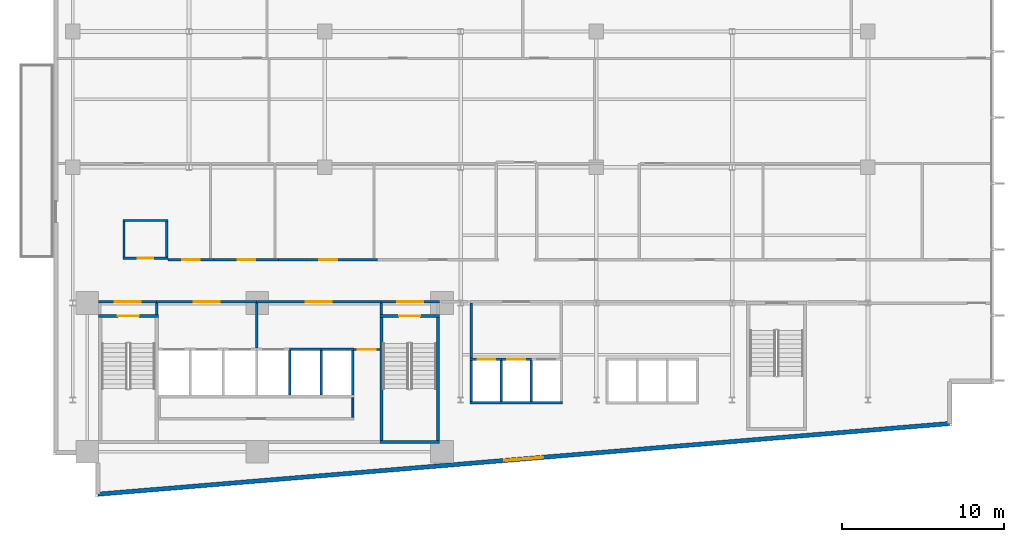
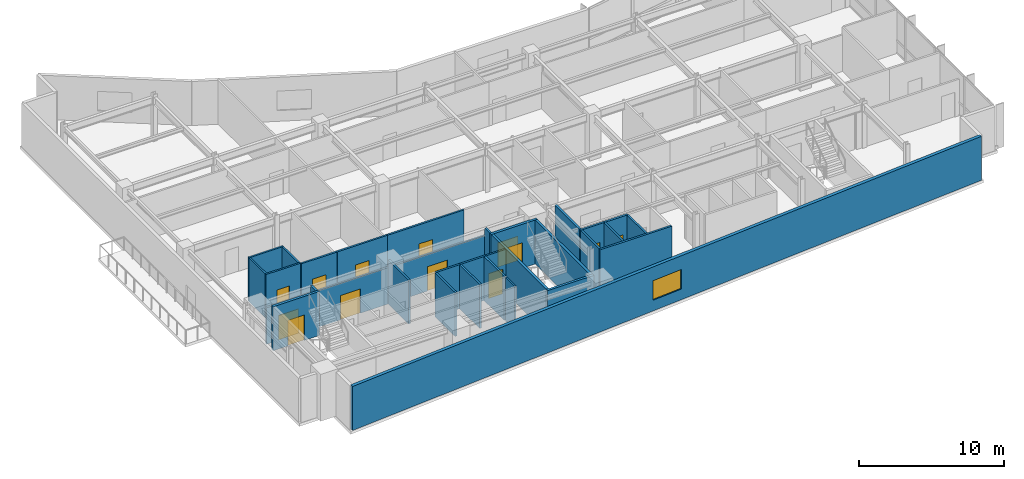
# One storey, part 13 of 20: 34 walls, 13 doors, 1 window, 14 openings.
"""IFC4 building model written with IfcOpenShell, lengths in metres."""

import ifcopenshell
import ifcopenshell.guid

model = None  # the IFC model being written
_history = None  # IfcOwnerHistory: only IFC2X3 demands one
_inside = {}  # id of a spatial element -> (the spatial element, [elements in it])
_under = {}  # id of a project, library or spatial element -> (it, [spatial elements below it])
_declared = {}  # id of a project -> (the project, [libraries it declares])
_typed = {}  # id of a type object -> (the type object, [elements of that type])
_made_of = {}  # id of a material, layer set ... -> (it, [elements and type objects made of it])


def new_model(schema):
    """Start an empty IFC model of exactly this schema.

    Asked for "IFC4X3", IfcOpenShell would pick the latest addendum, in which some entities
    have other attributes; the version numbers below select the first issue.
    IFC2X3 requires an IfcOwnerHistory on every rooted entity: one is made here for all.
    """
    global model, _history
    if schema == "IFC4X3":
        model = ifcopenshell.file(schema_version=(4, 3, 0, 0))
    else:
        model = ifcopenshell.file(schema=schema)
    _inside.clear()
    _under.clear()
    _declared.clear()
    _typed.clear()
    _made_of.clear()
    _history = None
    if model.schema == "IFC2X3":
        org = make("IfcOrganization", Name="unknown")
        user = make(
            "IfcPersonAndOrganization",
            ThePerson=make("IfcPerson", FamilyName="unknown"),
            TheOrganization=org,
        )
        app = make(
            "IfcApplication",
            ApplicationDeveloper=org,
            Version="unknown",
            ApplicationFullName="unknown",
            ApplicationIdentifier="unknown",
        )
        _history = make(
            "IfcOwnerHistory",
            OwningUser=user,
            OwningApplication=app,
            ChangeAction="ADDED",
            CreationDate=0,
        )
    return model


def make(cls, **values):
    """One entity of the class cls with the attributes given. An attribute that is None is left unset."""
    return model.create_entity(
        cls, **{name: value for name, value in values.items() if value is not None}
    )


def rooted(cls, **values):
    """An entity with a GlobalId (a new one), such as an element, a storey or a relation."""
    return make(cls, GlobalId=ifcopenshell.guid.new(), OwnerHistory=_history, **values)


def si_unit(unit_type, name, prefix=None):
    """IfcSIUnit, for example si_unit("LENGTHUNIT", "METRE", prefix="MILLI")."""
    return make("IfcSIUnit", UnitType=unit_type, Prefix=prefix, Name=name)


def assignment(units):
    """IfcUnitAssignment: the units of a project."""
    return None if units is None else make("IfcUnitAssignment", Units=units)


def point(xyz):
    """IfcCartesianPoint."""
    return None if xyz is None else make("IfcCartesianPoint", Coordinates=xyz)


def direction(xyz):
    """IfcDirection."""
    return None if xyz is None else make("IfcDirection", DirectionRatios=xyz)


def frame(location, z_axis=None, x_axis=None):
    """IfcAxis2Placement3D, a coordinate frame: its origin and axes. An axis left out is left unset."""
    return make(
        "IfcAxis2Placement3D",
        Location=point(location),
        Axis=direction(z_axis),
        RefDirection=direction(x_axis),
    )


def frame_2d(location, x_axis=None):
    """IfcAxis2Placement2D, a coordinate frame in the plane: its origin and x axis."""
    return make(
        "IfcAxis2Placement2D", Location=point(location), RefDirection=direction(x_axis)
    )


def origin():
    """The frame at (0, 0, 0) with its axes left unset."""
    return frame((0.0, 0.0, 0.0))


def place(relative_to, where):
    """IfcLocalPlacement: puts the frame where relative to a parent placement (None: the world)."""
    return make(
        "IfcLocalPlacement", PlacementRelTo=relative_to, RelativePlacement=where
    )


def context(
    kind, dimensions, precision=None, world=None, true_north=None, identifier=None
):
    """IfcGeometricRepresentationContext, for example the 3D "Model" context."""
    return make(
        "IfcGeometricRepresentationContext",
        ContextIdentifier=identifier,
        ContextType=kind,
        CoordinateSpaceDimension=dimensions,
        Precision=precision,
        WorldCoordinateSystem=world,
        TrueNorth=true_north,
    )


def subcontext(parent, identifier, kind, view, scale=None):
    """IfcGeometricRepresentationSubContext, for example "Body" below "Model"."""
    return make(
        "IfcGeometricRepresentationSubContext",
        ContextIdentifier=identifier,
        ContextType=kind,
        ParentContext=parent,
        TargetScale=scale,
        TargetView=view,
    )


def project(units=None, contexts=None):
    """IfcProject with its units and contexts."""
    return rooted(
        "IfcProject",
        Name="project",
        RepresentationContexts=contexts,
        UnitsInContext=assignment(units),
    )


def spatial(cls, under=None, at=None, **own):
    """A site, building, storey or space (cls), placed at a placement, below another one or the project."""
    s = rooted(cls, ObjectPlacement=at, **own)
    if under is not None:
        _under.setdefault(under.id(), (under, []))[1].append(s)
    return s


def profile(cls, at=None, kind="AREA", **sizes):
    """A parametric profile (cls). Its sizes go by their IFC names, for example OverallWidth=200.0."""
    return make(cls, ProfileType=kind, Position=at, **sizes)


def rectangle(**sizes):
    """IfcRectangleProfileDef."""
    return profile("IfcRectangleProfileDef", **sizes)


def extrude(swept, where, along, depth):
    """IfcExtrudedAreaSolid: the profile swept, set in the frame where, extruded along a direction by depth."""
    return make(
        "IfcExtrudedAreaSolid",
        SweptArea=swept,
        Position=where,
        ExtrudedDirection=direction(along),
        Depth=depth,
    )


def shape(context_of_items, identifier, shape_type, items):
    """IfcShapeRepresentation: the items that make up one representation, for example the "Body"."""
    return make(
        "IfcShapeRepresentation",
        ContextOfItems=context_of_items,
        RepresentationIdentifier=identifier,
        RepresentationType=shape_type,
        Items=items,
    )


def material(Name=None, Category=None):
    """IfcMaterial."""
    return make("IfcMaterial", Name=Name, Category=Category)


def layer(
    of_material, thickness, ventilated=None, Name=None, Category=None, Priority=None
):
    """IfcMaterialLayer: one layer of a wall or slab, of a material (None: an air gap)."""
    return make(
        "IfcMaterialLayer",
        Material=of_material,
        LayerThickness=thickness,
        IsVentilated=ventilated,
        Name=Name,
        Category=Category,
        Priority=Priority,
    )


def layer_set(layers, Name=None):
    """IfcMaterialLayerSet."""
    return make("IfcMaterialLayerSet", MaterialLayers=layers, LayerSetName=Name)


def made_of(thing, what):
    """Note that an element or type object is made of a material, layer set ...; save() writes the relation."""
    if what is not None:
        _made_of.setdefault(what.id(), (what, []))[1].append(thing)
    return thing


def type_object(cls, material=None, **own):
    """A type object (cls), such as IfcWallType, which elements share."""
    return made_of(rooted(cls, **own), material)


def element(
    cls,
    number,
    at=None,
    inside=None,
    cuts=None,
    type_object=None,
    material=None,
    context=None,
    identifier="Body",
    shape_type=None,
    held_by="IfcProductDefinitionShape",
    body=None,
    shapes=None,
    **own,
):
    """One element of the class cls, such as IfcWall. Its Tag is "e" and its number.

    at: its placement. inside: the storey or other place that contains it. cuts: it is an
    opening in that element (IfcRelVoidsElement). A single representation is given by context,
    identifier, shape_type and body (its items); several are given by shapes. held_by: the class
    of the entity that holds the representations. save() writes the other relations.
    """
    e = rooted(cls, Tag="e%d" % number, ObjectPlacement=at, **own)
    if body is not None:
        shapes = [shape(context, identifier, shape_type, body)]
    if shapes is not None:
        e.Representation = make(held_by, Representations=shapes)
    if inside is not None:
        _inside.setdefault(inside.id(), (inside, []))[1].append(e)
    if cuts is not None:
        rooted(
            "IfcRelVoidsElement", RelatingBuildingElement=cuts, RelatedOpeningElement=e
        )
    if type_object is not None:
        _typed.setdefault(type_object.id(), (type_object, []))[1].append(e)
    return made_of(e, material)


def fill(opening, filler):
    """IfcRelFillsElement: the door or window that sits in an opening."""
    return rooted(
        "IfcRelFillsElement",
        RelatingOpeningElement=opening,
        RelatedBuildingElement=filler,
    )


def aggregate(whole, parts):
    """IfcRelAggregates: a whole, such as a stair, and the parts it consists of."""
    return rooted("IfcRelAggregates", RelatingObject=whole, RelatedObjects=parts)


def save(model, path):
    """Write the relations noted so far, then the file.

    IfcRelAggregates (storeys below a building ...), IfcRelContainedInSpatialStructure (elements
    in a storey), IfcRelDefinesByType, IfcRelAssociatesMaterial and IfcRelDeclares: one each for
    every whole, place, type object, material and project.
    """
    for whole, parts in _under.values():
        aggregate(whole, parts)
    for where, things in _inside.values():
        rooted(
            "IfcRelContainedInSpatialStructure",
            RelatedElements=things,
            RelatingStructure=where,
        )
    for kind, things in _typed.values():
        rooted("IfcRelDefinesByType", RelatedObjects=things, RelatingType=kind)
    for what, things in _made_of.values():
        rooted("IfcRelAssociatesMaterial", RelatedObjects=things, RelatingMaterial=what)
    for by, libraries in _declared.values():
        rooted("IfcRelDeclares", RelatingContext=by, RelatedDefinitions=libraries)
    model.write(path)


model = new_model("IFC4")

# Units and contexts
model_context = context("Model", 3, precision=1e-05, world=origin(), true_north=direction((0.0, 1.0)))
body_context = subcontext(model_context, "Body", "Model", "MODEL_VIEW")
ifc_project = project(units=[si_unit("LENGTHUNIT", "METRE"), si_unit("AREAUNIT", "SQUARE_METRE"), si_unit("VOLUMEUNIT", "CUBIC_METRE"), si_unit("PLANEANGLEUNIT", "RADIAN"), si_unit("MASSUNIT", "GRAM", prefix="KILO")], contexts=[model_context])

# Site, building, storey
site_placement = place(None, origin())
site = spatial("IfcSite", under=ifc_project, at=site_placement, CompositionType="ELEMENT")
building_placement = place(site_placement, origin())
building = spatial("IfcBuilding", under=site, at=building_placement, Name="Varnakote Quay Hospital", CompositionType="ELEMENT")
storey_placement = place(building_placement, frame((0.0, 0.0, 46.199951171875)))
storey = spatial("IfcBuildingStorey", under=building, at=storey_placement, Name="L11", CompositionType="ELEMENT", Elevation=46.199951171875)

# Wall, opening, door
ifc_material_1 = material(Name="Fire-rated acoustic gypsum stud wall", Category="gypsum")
ifc_layer_1 = layer(ifc_material_1, 0.159912109375)
ifc_layer_set_1 = layer_set([ifc_layer_1], Name="Fire-rated acoustic gypsum stud wall")
wall_type_1 = type_object("IfcWallType", Name="WL-COMP-160", PredefinedType="PARTITIONING", material=ifc_layer_set_1)
wall_1_placement = place(storey_placement, frame((2.800048828125, 12.080078125, 0.0), z_axis=(0.0, 0.0, 1.0), x_axis=(1.0, 0.0, 0.0)))
wall_1 = element("IfcWall", 1, at=wall_1_placement, inside=storey, type_object=wall_type_1, Name="L11 West Stair Vestibule Smoke Wall", PredefinedType="PARTITIONING", context=body_context, shape_type="SweptSolid", body=[
    extrude(rectangle(XDim=3.599853515625, YDim=0.159912109375, at=frame_2d((1.7998046875, 0.0))), origin(), (0.0, 0.0, 1.0), 3.072998046875),
])
opening_1_placement = place(wall_1_placement, frame((1.0, 0.0, 0.0)))
opening_1 = element("IfcOpeningElement", 2, at=opening_1_placement, cuts=wall_1, Name="Opening D-ST1L-L11", PredefinedType="OPENING", context=body_context, shape_type="SweptSolid", body=[
    extrude(rectangle(XDim=1.60009765625, YDim=2.050048828125, at=frame_2d((0.800048828125, 1.02490234375))), frame((0.0, 0.08984375, 0.0), z_axis=(0.0, -1.0, 0.0), x_axis=(1.0, 0.0, 0.0)), (0.0, 0.0, 1.0), 0.179931640625),
])
ifc_material_2 = material(Name="Fire-rated double smoke lobby door")
door_type_1 = type_object("IfcDoorType", Name="DR-LOBBY-FD60S-1600x2150", OperationType="NOTDEFINED", PredefinedType="DOOR", material=ifc_material_2)
door_1_placement = place(opening_1_placement, origin())
door_1 = element("IfcDoor", 3, at=door_1_placement, inside=storey, type_object=door_type_1, Name="L11 West Stair Vestibule Smoke Door", OperationType="DOUBLE_DOOR_SINGLE_SWING", OverallHeight=2.050048828125, OverallWidth=1.60009765625, PredefinedType="DOOR", context=body_context, shape_type="SweptSolid", body=[
    extrude(rectangle(XDim=1.60009765625, YDim=2.050048828125, at=frame_2d((0.800048828125, 1.02490234375))), frame((0.0, 0.02490234375, 0.0), z_axis=(0.0, -1.0, 0.0), x_axis=(1.0, 0.0, 0.0)), (0.0, 0.0, 1.0), 0.050048828125),
])
fill(opening_1, door_1)

# Wall
wall_2_placement = place(storey_placement, frame((6.39990234375, 11.300048828125, 0.0), z_axis=(0.0, 0.0, 1.0), x_axis=(0.0, 1.0, 0.0)))
element("IfcWall", 4, at=wall_2_placement, inside=storey, type_object=wall_type_1, Name="L11 Firefighting Lobby West Wall", PredefinedType="PARTITIONING", context=body_context, shape_type="SweptSolid", body=[
    extrude(rectangle(XDim=0.699951171875, YDim=0.159912109375, at=frame_2d((0.35009765625, 0.0))), origin(), (0.0, 0.0, 1.0), 3.7099609375),
])

# Wall, opening, door
wall_3_placement = place(storey_placement, frame((6.39990234375, 12.080078125, 0.0), z_axis=(0.0, 0.0, 1.0), x_axis=(1.0, 0.0, 0.0)))
wall_3 = element("IfcWall", 5, at=wall_3_placement, inside=storey, type_object=wall_type_1, Name="L11 Firefighting Lift Lobby Compartment Wall", PredefinedType="PARTITIONING", context=body_context, shape_type="SweptSolid", body=[
    extrude(rectangle(XDim=6.18017578125, YDim=0.159912109375, at=frame_2d((3.090087890625, 0.0))), origin(), (0.0, 0.0, 1.0), 3.072998046875),
])
opening_2_placement = place(wall_3_placement, frame((2.2900390625, 0.0, 0.0)))
opening_2 = element("IfcOpeningElement", 6, at=opening_2_placement, cuts=wall_3, Name="Opening D-FFL-L11", PredefinedType="OPENING", context=body_context, shape_type="SweptSolid", body=[
    extrude(rectangle(XDim=1.60009765625, YDim=2.050048828125, at=frame_2d((0.800048828125, 1.02490234375))), frame((0.0, 0.08984375, 0.0), z_axis=(0.0, -1.0, 0.0), x_axis=(1.0, 0.0, 0.0)), (0.0, 0.0, 1.0), 0.179931640625),
])
door_2_placement = place(opening_2_placement, origin())
door_2 = element("IfcDoor", 7, at=door_2_placement, inside=storey, type_object=door_type_1, Name="L11 Firefighting Smoke Vestibule Door", OperationType="DOUBLE_DOOR_SINGLE_SWING", OverallHeight=2.050048828125, OverallWidth=1.60009765625, PredefinedType="DOOR", context=body_context, shape_type="SweptSolid", body=[
    extrude(rectangle(XDim=1.60009765625, YDim=2.050048828125, at=frame_2d((0.800048828125, 1.02490234375))), frame((0.0, 0.02490234375, 0.0), z_axis=(0.0, -1.0, 0.0), x_axis=(1.0, 0.0, 0.0)), (0.0, 0.0, 1.0), 0.050048828125),
])
fill(opening_2, door_2)

# Wall
wall_4_placement = place(storey_placement, frame((12.580078125, 9.2099609375, 0.0), z_axis=(0.0, 0.0, 1.0), x_axis=(0.0, 1.0, 0.0)))
element("IfcWall", 8, at=wall_4_placement, inside=storey, type_object=wall_type_1, Name="L11 Firefighting to Service Lobby Wall", PredefinedType="PARTITIONING", context=body_context, shape_type="SweptSolid", body=[
    extrude(rectangle(XDim=2.7900390625, YDim=0.159912109375, at=frame_2d((1.39501953125, 0.0))), origin(), (0.0, 0.0, 1.0), 3.7099609375),
])

# Wall, opening, door
wall_5_placement = place(storey_placement, frame((12.580078125, 12.080078125, 0.0), z_axis=(0.0, 0.0, 1.0), x_axis=(1.0, 0.0, 0.0)))
wall_5 = element("IfcWall", 9, at=wall_5_placement, inside=storey, type_object=wall_type_1, Name="L11 Clinical Bed Lift Lobby Wall", PredefinedType="PARTITIONING", context=body_context, shape_type="SweptSolid", body=[
    extrude(rectangle(XDim=7.699951171875, YDim=0.159912109375, at=frame_2d((3.85009765625, 0.0))), origin(), (0.0, 0.0, 1.0), 3.072998046875),
])
opening_3_placement = place(wall_5_placement, frame((3.050048828125, 0.0, 0.0)))
opening_3 = element("IfcOpeningElement", 10, at=opening_3_placement, cuts=wall_5, Name="Opening D-SVL-L11", PredefinedType="OPENING", context=body_context, shape_type="SweptSolid", body=[
    extrude(rectangle(XDim=1.60009765625, YDim=2.050048828125, at=frame_2d((0.800048828125, 1.02490234375))), frame((0.0, 0.08984375, 0.0), z_axis=(0.0, -1.0, 0.0), x_axis=(1.0, 0.0, 0.0)), (0.0, 0.0, 1.0), 0.179931640625),
])
door_3_placement = place(opening_3_placement, origin())
door_3 = element("IfcDoor", 11, at=door_3_placement, inside=storey, type_object=door_type_1, Name="L11 Clinical Core Smoke Vestibule Door", OperationType="DOUBLE_DOOR_SINGLE_SWING", OverallHeight=2.050048828125, OverallWidth=1.60009765625, PredefinedType="DOOR", context=body_context, shape_type="SweptSolid", body=[
    extrude(rectangle(XDim=1.60009765625, YDim=2.050048828125, at=frame_2d((0.800048828125, 1.02490234375))), frame((0.0, 0.02490234375, 0.0), z_axis=(0.0, -1.0, 0.0), x_axis=(1.0, 0.0, 0.0)), (0.0, 0.0, 1.0), 0.050048828125),
])
fill(opening_3, door_3)

# Wall
wall_6_placement = place(storey_placement, frame((20.280029296875, 11.300048828125, 0.0), z_axis=(0.0, 0.0, 1.0), x_axis=(0.0, 1.0, 0.0)))
element("IfcWall", 12, at=wall_6_placement, inside=storey, type_object=wall_type_1, Name="L11 East Stair Vestibule Divider Wall", PredefinedType="PARTITIONING", context=body_context, shape_type="SweptSolid", body=[
    extrude(rectangle(XDim=0.699951171875, YDim=0.159912109375, at=frame_2d((0.35009765625, 0.0))), origin(), (0.0, 0.0, 1.0), 3.7099609375),
])

# Wall, opening, door
wall_7_placement = place(storey_placement, frame((20.280029296875, 12.080078125, 0.0), z_axis=(0.0, 0.0, 1.0), x_axis=(1.0, 0.0, 0.0)))
wall_7 = element("IfcWall", 13, at=wall_7_placement, inside=storey, type_object=wall_type_1, Name="L11 East Stair Vestibule Smoke Wall", PredefinedType="PARTITIONING", context=body_context, shape_type="SweptSolid", body=[
    extrude(rectangle(XDim=3.619873046875, YDim=0.159912109375, at=frame_2d((1.81005859375, 0.0))), origin(), (0.0, 0.0, 1.0), 3.072998046875),
])
opening_4_placement = place(wall_7_placement, frame((1.010009765625, 0.0, 0.0)))
opening_4 = element("IfcOpeningElement", 14, at=opening_4_placement, cuts=wall_7, Name="Opening D-ST2L-L11", PredefinedType="OPENING", context=body_context, shape_type="SweptSolid", body=[
    extrude(rectangle(XDim=1.60009765625, YDim=2.050048828125, at=frame_2d((0.800048828125, 1.02490234375))), frame((0.0, 0.08984375, 0.0), z_axis=(0.0, -1.0, 0.0), x_axis=(1.0, 0.0, 0.0)), (0.0, 0.0, 1.0), 0.179931640625),
])
door_4_placement = place(opening_4_placement, origin())
door_4 = element("IfcDoor", 15, at=door_4_placement, inside=storey, type_object=door_type_1, Name="L11 East Stair Vestibule Smoke Door", OperationType="DOUBLE_DOOR_SINGLE_SWING", OverallHeight=2.050048828125, OverallWidth=1.60009765625, PredefinedType="DOOR", context=body_context, shape_type="SweptSolid", body=[
    extrude(rectangle(XDim=1.60009765625, YDim=2.050048828125, at=frame_2d((0.800048828125, 1.02490234375))), frame((0.0, 0.02490234375, 0.0), z_axis=(0.0, -1.0, 0.0), x_axis=(1.0, 0.0, 0.0)), (0.0, 0.0, 1.0), 0.050048828125),
])
fill(opening_4, door_4)

# Wall
wall_8_placement = place(storey_placement, frame((25.8701171875, 8.610107421875, 0.0), z_axis=(0.0, 0.0, 1.0), x_axis=(0.0, 1.0, 0.0)))
element("IfcWall", 16, at=wall_8_placement, inside=storey, type_object=wall_type_1, Name="L11 Low-Rise Lift Lobby West Wall", PredefinedType="PARTITIONING", context=body_context, shape_type="SweptSolid", body=[
    extrude(rectangle(XDim=3.389892578125, YDim=0.159912109375, at=frame_2d((1.69482421875, 0.0))), origin(), (0.0, 0.0, 1.0), 3.7099609375),
])

# Wall, opening, window
ifc_material_3 = material(Name="Precast concrete N50 (f'c 50 MPa)", Category="concrete")
ifc_layer_2 = layer(ifc_material_3, 0.260009765625)
ifc_layer_set_2 = layer_set([ifc_layer_2], Name="Precast concrete N50 (f'c 50 MPa)")
wall_type_2 = type_object("IfcWallType", Name="WL-EXT-BRICK-260", PredefinedType="STANDARD", material=ifc_layer_set_2)
wall_9_placement = place(storey_placement, frame((2.760009765625, 0.173828125, 0.0), z_axis=(0.0, 0.0, 1.0), x_axis=(0.996571478456, 0.082736257641, 0.0)))
wall_9 = element("IfcWall", 17, at=wall_9_placement, inside=storey, type_object=wall_type_2, Name="L11 Brick-Faced Precast Exterior Wall", PredefinedType="STANDARD", context=body_context, shape_type="SweptSolid", body=[
    extrude(rectangle(XDim=52.861083984375, YDim=0.260009765625, at=frame_2d((26.4306640625, 0.0))), origin(), (0.0, 0.0, 1.0), 3.7099609375),
])
opening_5_placement = place(wall_9_placement, frame((25.230712890625, 0.0, 0.89990234375)))
opening_5 = element("IfcOpeningElement", 18, at=opening_5_placement, cuts=wall_9, Name="Opening WN-0058", PredefinedType="OPENING", context=body_context, shape_type="SweptSolid", body=[
    extrude(rectangle(XDim=2.39990234375, YDim=1.64990234375, at=frame_2d((1.199951171875, 0.824951171875))), frame((0.0, 0.139892578125, 0.0), z_axis=(0.0, -1.0, 0.0), x_axis=(1.0, 0.0, 0.0)), (0.0, 0.0, 1.0), 0.280029296875),
])
ifc_material_4 = material(Name="Double-glazed low-E solar glass", Category="glass")
window_type = type_object("IfcWindowType", Name="WIN-CLIN-2400x1650", PartitioningType="SINGLE_PANEL", PredefinedType="WINDOW", material=ifc_material_4)
window_placement = place(opening_5_placement, origin())
window = element("IfcWindow", 19, at=window_placement, inside=storey, type_object=window_type, Name="L11 Solar-Control Clinical Window", OverallHeight=1.64990234375, OverallWidth=2.39990234375, PartitioningType="SINGLE_PANEL", PredefinedType="WINDOW", context=body_context, shape_type="SweptSolid", body=[
    extrude(rectangle(XDim=2.39990234375, YDim=1.64990234375, at=frame_2d((1.199951171875, 0.824951171875))), frame((0.0, 0.030029296875, 0.0), z_axis=(0.0, -1.0, 0.0), x_axis=(1.0, 0.0, 0.0)), (0.0, 0.0, 1.0), 0.06005859375),
])
fill(opening_5, window)

# Walls
ifc_material_5 = material(Name="Concrete N50 (f'c 50 MPa)", Category="concrete")
ifc_layer_3 = layer(ifc_material_5, 0.14990234375)
ifc_layer_set_3 = layer_set([ifc_layer_3], Name="Concrete N50 (f'c 50 MPa)")
wall_type_3 = type_object("IfcWallType", Name="WL-SHAFT-N50-150", PredefinedType="SHEAR", material=ifc_layer_set_3)
for number, where, z_axis, x_axis, name in (
    (20, (14.625, 6.300048828125, 0.0), (0.0, 0.0, 1.0), (0.0, 1.0, 0.0), "L11 LF-SV2 Hoistway Divider Wall"),
    (21, (16.574951171875, 6.300048828125, 0.0), (0.0, 0.0, 1.0), (0.0, 1.0, 0.0), "L11 LF-PH1 Hoistway Divider Wall"),
):
    element("IfcWall", number, at=place(storey_placement, frame(where, z_axis=z_axis, x_axis=x_axis)), inside=storey, type_object=wall_type_3, Name=name, PredefinedType="SHEAR", context=body_context, shape_type="SweptSolid", body=[
        extrude(rectangle(XDim=2.75, YDim=0.14990234375, at=frame_2d((1.375, 0.0))), origin(), (0.0, 0.0, 1.0), 3.7099609375),
    ])
for number, where, z_axis, x_axis, name in (
    (22, (27.72509765625, 5.89990234375, 0.0), (0.0, 0.0, 1.0), (0.0, 1.0, 0.0), "L11 LF-PL1 Hoistway Divider Wall"),
    (23, (29.574951171875, 5.89990234375, 0.0), (0.0, 0.0, 1.0), (0.0, 1.0, 0.0), "L11 LF-PL2 Hoistway Divider Wall"),
):
    element("IfcWall", number, at=place(storey_placement, frame(where, z_axis=z_axis, x_axis=x_axis)), inside=storey, type_object=wall_type_3, Name=name, PredefinedType="SHEAR", context=body_context, shape_type="SweptSolid", body=[
        extrude(rectangle(XDim=2.550048828125, YDim=0.14990234375, at=frame_2d((1.27490234375, 0.0))), origin(), (0.0, 0.0, 1.0), 3.7099609375),
    ])
ifc_material_6 = material(Name="Concrete N50 (f'c 50 MPa)", Category="concrete")
ifc_layer_4 = layer(ifc_material_6, 0.159912109375)
ifc_layer_set_4 = layer_set([ifc_layer_4], Name="Concrete N50 (f'c 50 MPa)")
wall_type_4 = type_object("IfcWallType", Name="WL-SHAFT-N50-160", PredefinedType="SHEAR", material=ifc_layer_set_4)
wall_10_placement = place(storey_placement, frame((18.530029296875, 6.300048828125, 0.0), z_axis=(0.0, 0.0, 1.0), x_axis=(0.0, 1.0, 0.0)))
element("IfcWall", 24, at=wall_10_placement, inside=storey, type_object=wall_type_4, Name="L11 REAR Lift Bank East Shear Wall", PredefinedType="SHEAR", context=body_context, shape_type="SweptSolid", body=[
    extrude(rectangle(XDim=2.75, YDim=0.159912109375, at=frame_2d((1.375, 0.0))), origin(), (0.0, 0.0, 1.0), 3.7099609375),
])
wall_11_placement = place(storey_placement, frame((14.625, 9.1298828125, 0.0), z_axis=(0.0, 0.0, 1.0), x_axis=(1.0, 0.0, 0.0)))
element("IfcWall", 25, at=wall_11_placement, inside=storey, type_object=wall_type_4, Name="L11 LF-PH1 Hoistway Front Wall", PredefinedType="SHEAR", context=body_context, shape_type="SweptSolid", body=[
    extrude(rectangle(XDim=1.949951171875, YDim=0.159912109375, at=frame_2d((0.97509765625, 0.0))), origin(), (0.0, 0.0, 1.0), 3.7099609375),
])
wall_12_placement = place(storey_placement, frame((16.574951171875, 9.1298828125, 0.0), z_axis=(0.0, 0.0, 1.0), x_axis=(1.0, 0.0, 0.0)))
element("IfcWall", 26, at=wall_12_placement, inside=storey, type_object=wall_type_4, Name="L11 LF-PH2 Hoistway Front Wall", PredefinedType="SHEAR", context=body_context, shape_type="SweptSolid", body=[
    extrude(rectangle(XDim=2.03515625, YDim=0.159912109375, at=frame_2d((1.017578125, 0.0))), origin(), (0.0, 0.0, 1.0), 3.7099609375),
])
wall_13_placement = place(storey_placement, frame((25.7900390625, 5.820068359375, 0.0), z_axis=(0.0, 0.0, 1.0), x_axis=(1.0, 0.0, 0.0)))
element("IfcWall", 27, at=wall_13_placement, inside=storey, type_object=wall_type_4, Name="L11 LOW Lift Bank Back Shear Wall", PredefinedType="SHEAR", context=body_context, shape_type="SweptSolid", body=[
    extrude(rectangle(XDim=5.719970703125, YDim=0.159912109375, at=frame_2d((2.85986328125, 0.0))), origin(), (0.0, 0.0, 1.0), 3.7099609375),
])
wall_14_placement = place(storey_placement, frame((25.8701171875, 5.89990234375, 0.0), z_axis=(0.0, 0.0, 1.0), x_axis=(0.0, 1.0, 0.0)))
element("IfcWall", 28, at=wall_14_placement, inside=storey, type_object=wall_type_4, Name="L11 LOW Lift Bank West Shear Wall", PredefinedType="SHEAR", context=body_context, shape_type="SweptSolid", body=[
    extrude(rectangle(XDim=2.550048828125, YDim=0.159912109375, at=frame_2d((1.27490234375, 0.0))), origin(), (0.0, 0.0, 1.0), 3.7099609375),
])

# Wall, opening, door
wall_15_placement = place(storey_placement, frame((25.7900390625, 8.530029296875, 0.0), z_axis=(0.0, 0.0, 1.0), x_axis=(1.0, 0.0, 0.0)))
wall_15 = element("IfcWall", 29, at=wall_15_placement, inside=storey, type_object=wall_type_4, Name="L11 LF-PL1 Hoistway Front Wall", PredefinedType="SHEAR", context=body_context, shape_type="SweptSolid", body=[
    extrude(rectangle(XDim=1.93505859375, YDim=0.159912109375, at=frame_2d((0.967529296875, 0.0))), origin(), (0.0, 0.0, 1.0), 3.7099609375),
])
opening_6_placement = place(wall_15_placement, frame((0.4599609375, 0.0, 0.0)))
opening_6 = element("IfcOpeningElement", 30, at=opening_6_placement, cuts=wall_15, Name="Opening LD-PL1-L11", PredefinedType="OPENING", context=body_context, shape_type="SweptSolid", body=[
    extrude(rectangle(XDim=1.10009765625, YDim=2.14990234375, at=frame_2d((0.550048828125, 1.074951171875))), frame((0.0, 0.08984375, 0.0), z_axis=(0.0, -1.0, 0.0), x_axis=(1.0, 0.0, 0.0)), (0.0, 0.0, 1.0), 0.179931640625),
])
ifc_material_7 = material(Name="Brushed bronze lift landing sliding door")
door_type_2 = type_object("IfcDoorType", Name="DR-LIFT-LD-1100x2150", OperationType="NOTDEFINED", PredefinedType="DOOR", material=ifc_material_7)
door_5_placement = place(opening_6_placement, origin())
door_5 = element("IfcDoor", 31, at=door_5_placement, inside=storey, type_object=door_type_2, Name="L11 LF-PL1 Lift Landing Sliding Door", OperationType="SLIDING_TO_LEFT", OverallHeight=2.14990234375, OverallWidth=1.10009765625, PredefinedType="DOOR", context=body_context, shape_type="SweptSolid", body=[
    extrude(rectangle(XDim=1.10009765625, YDim=2.14990234375, at=frame_2d((0.550048828125, 1.074951171875))), frame((0.0, 0.02490234375, 0.0), z_axis=(0.0, -1.0, 0.0), x_axis=(1.0, 0.0, 0.0)), (0.0, 0.0, 1.0), 0.050048828125),
])
fill(opening_6, door_5)

wall_16_placement = place(storey_placement, frame((27.72509765625, 8.530029296875, 0.0), z_axis=(0.0, 0.0, 1.0), x_axis=(1.0, 0.0, 0.0)))
wall_16 = element("IfcWall", 32, at=wall_16_placement, inside=storey, type_object=wall_type_4, Name="L11 LF-PL2 Hoistway Front Wall", PredefinedType="SHEAR", context=body_context, shape_type="SweptSolid", body=[
    extrude(rectangle(XDim=1.849853515625, YDim=0.159912109375, at=frame_2d((0.9248046875, 0.0))), origin(), (0.0, 0.0, 1.0), 3.7099609375),
])
opening_7_placement = place(wall_16_placement, frame((0.375, 0.0, 0.0)))
opening_7 = element("IfcOpeningElement", 33, at=opening_7_placement, cuts=wall_16, Name="Opening LD-PL2-L11", PredefinedType="OPENING", context=body_context, shape_type="SweptSolid", body=[
    extrude(rectangle(XDim=1.10009765625, YDim=2.14990234375, at=frame_2d((0.550048828125, 1.074951171875))), frame((0.0, 0.08984375, 0.0), z_axis=(0.0, -1.0, 0.0), x_axis=(1.0, 0.0, 0.0)), (0.0, 0.0, 1.0), 0.179931640625),
])
door_6_placement = place(opening_7_placement, origin())
door_6 = element("IfcDoor", 34, at=door_6_placement, inside=storey, type_object=door_type_2, Name="L11 LF-PL2 Lift Landing Sliding Door", OperationType="SLIDING_TO_LEFT", OverallHeight=2.14990234375, OverallWidth=1.10009765625, PredefinedType="DOOR", context=body_context, shape_type="SweptSolid", body=[
    extrude(rectangle(XDim=1.10009765625, YDim=2.14990234375, at=frame_2d((0.550048828125, 1.074951171875))), frame((0.0, 0.02490234375, 0.0), z_axis=(0.0, -1.0, 0.0), x_axis=(1.0, 0.0, 0.0)), (0.0, 0.0, 1.0), 0.050048828125),
])
fill(opening_7, door_6)

ifc_material_8 = material(Name="Concrete N50 (f'c 50 MPa)", Category="concrete")
ifc_layer_5 = layer(ifc_material_8, 0.199951171875)
ifc_layer_set_5 = layer_set([ifc_layer_5], Name="Concrete N50 (f'c 50 MPa)")
wall_type_5 = type_object("IfcWallType", Name="WL-SHAFT-N50-200", PredefinedType="SHEAR", material=ifc_layer_set_5)
wall_17_placement = place(storey_placement, frame((2.800048828125, 11.199951171875, 0.0), z_axis=(0.0, 0.0, 1.0), x_axis=(1.0, 0.0, 0.0)))
wall_17 = element("IfcWall", 35, at=wall_17_placement, inside=storey, type_object=wall_type_5, Name="L11 Stair ST1 Exit Wall", PredefinedType="SHEAR", context=body_context, shape_type="SweptSolid", body=[
    extrude(rectangle(XDim=3.699951171875, YDim=0.199951171875, at=frame_2d((1.85009765625, 0.0))), origin(), (0.0, 0.0, 1.0), 3.7099609375),
])
opening_8_placement = place(wall_17_placement, frame((1.199951171875, 0.0, 0.0)))
opening_8 = element("IfcOpeningElement", 36, at=opening_8_placement, cuts=wall_17, Name="Opening D-ST1-L11", PredefinedType="OPENING", context=body_context, shape_type="SweptSolid", body=[
    extrude(rectangle(XDim=1.300048828125, YDim=2.14990234375, at=frame_2d((0.64990234375, 1.074951171875))), frame((0.0, 0.10986328125, 0.0), z_axis=(0.0, -1.0, 0.0), x_axis=(1.0, 0.0, 0.0)), (0.0, 0.0, 1.0), 0.219970703125),
])
ifc_material_9 = material(Name="Fire-rated ceramic-glazed timber exit door", Category="wood")
door_type_3 = type_object("IfcDoorType", Name="DR-STAIR-FD60S-1300x2150", OperationType="NOTDEFINED", PredefinedType="DOOR", material=ifc_material_9)
door_7_placement = place(opening_8_placement, origin())
door_7 = element("IfcDoor", 37, at=door_7_placement, inside=storey, type_object=door_type_3, Name="L11 Stair ST1 Fire Exit Door", OperationType="SINGLE_SWING_RIGHT", OverallHeight=2.14990234375, OverallWidth=1.300048828125, PredefinedType="DOOR", context=body_context, shape_type="SweptSolid", body=[
    extrude(rectangle(XDim=1.300048828125, YDim=2.14990234375, at=frame_2d((0.64990234375, 1.074951171875))), frame((0.0, 0.02490234375, 0.0), z_axis=(0.0, -1.0, 0.0), x_axis=(1.0, 0.0, 0.0)), (0.0, 0.0, 1.0), 0.050048828125),
])
fill(opening_8, door_7)

# Walls
wall_18_placement = place(storey_placement, frame((20.199951171875, 3.39990234375, 0.0), z_axis=(0.0, 0.0, 1.0), x_axis=(1.0, 0.0, 0.0)))
element("IfcWall", 38, at=wall_18_placement, inside=storey, type_object=wall_type_5, Name="L11 Stair ST2 South Shaft Wall", PredefinedType="SHEAR", context=body_context, shape_type="SweptSolid", body=[
    extrude(rectangle(XDim=3.699951171875, YDim=0.199951171875, at=frame_2d((1.85009765625, 0.0))), origin(), (0.0, 0.0, 1.0), 3.7099609375),
])
for number, where, z_axis, x_axis, name in (
    (39, (20.300048828125, 3.5, 0.0), (0.0, 0.0, 1.0), (0.0, 1.0, 0.0), "L11 Stair ST2 West Shaft Wall"),
    (40, (23.800048828125, 3.5, 0.0), (0.0, 0.0, 1.0), (0.0, 1.0, 0.0), "L11 Stair ST2 East Shaft Wall"),
):
    element("IfcWall", number, at=place(storey_placement, frame(where, z_axis=z_axis, x_axis=x_axis)), inside=storey, type_object=wall_type_5, Name=name, PredefinedType="SHEAR", context=body_context, shape_type="SweptSolid", body=[
        extrude(rectangle(XDim=7.60009765625, YDim=0.199951171875, at=frame_2d((3.800048828125, 0.0))), origin(), (0.0, 0.0, 1.0), 3.7099609375),
    ])

# Wall, opening, door
wall_19_placement = place(storey_placement, frame((20.199951171875, 11.199951171875, 0.0), z_axis=(0.0, 0.0, 1.0), x_axis=(1.0, 0.0, 0.0)))
wall_19 = element("IfcWall", 41, at=wall_19_placement, inside=storey, type_object=wall_type_5, Name="L11 Stair ST2 Exit Wall", PredefinedType="SHEAR", context=body_context, shape_type="SweptSolid", body=[
    extrude(rectangle(XDim=3.699951171875, YDim=0.199951171875, at=frame_2d((1.85009765625, 0.0))), origin(), (0.0, 0.0, 1.0), 3.7099609375),
])
opening_9_placement = place(wall_19_placement, frame((1.199951171875, 0.0, 0.0)))
opening_9 = element("IfcOpeningElement", 42, at=opening_9_placement, cuts=wall_19, Name="Opening D-ST2-L11", PredefinedType="OPENING", context=body_context, shape_type="SweptSolid", body=[
    extrude(rectangle(XDim=1.300048828125, YDim=2.14990234375, at=frame_2d((0.64990234375, 1.074951171875))), frame((0.0, 0.10986328125, 0.0), z_axis=(0.0, -1.0, 0.0), x_axis=(1.0, 0.0, 0.0)), (0.0, 0.0, 1.0), 0.219970703125),
])
door_8_placement = place(opening_9_placement, origin())
door_8 = element("IfcDoor", 43, at=door_8_placement, inside=storey, type_object=door_type_3, Name="L11 Stair ST2 Fire Exit Door", OperationType="SINGLE_SWING_LEFT", OverallHeight=2.14990234375, OverallWidth=1.300048828125, PredefinedType="DOOR", context=body_context, shape_type="SweptSolid", body=[
    extrude(rectangle(XDim=1.300048828125, YDim=2.14990234375, at=frame_2d((0.64990234375, 1.074951171875))), frame((0.0, 0.02490234375, 0.0), z_axis=(0.0, -1.0, 0.0), x_axis=(1.0, 0.0, 0.0)), (0.0, 0.0, 1.0), 0.050048828125),
])
fill(opening_9, door_8)

# Wall
ifc_material_10 = material(Name="Smoke-proof clinical partition", Category="gypsum")
ifc_layer_6 = layer(ifc_material_10, 0.1201171875)
ifc_layer_set_6 = layer_set([ifc_layer_6], Name="Smoke-proof clinical partition")
wall_type_6 = type_object("IfcWallType", Name="WL-SMOKE-120", PredefinedType="PARTITIONING", material=ifc_layer_set_6)
wall_20_placement = place(storey_placement, frame((18.5400390625, 4.919921875, 0.0), z_axis=(0.0, 0.0, 1.0), x_axis=(0.0, 1.0, 0.0)))
element("IfcWall", 44, at=wall_20_placement, inside=storey, type_object=wall_type_6, Name="L11 Core Service Strip East Wall", PredefinedType="PARTITIONING", context=body_context, shape_type="SweptSolid", body=[
    extrude(rectangle(XDim=1.219970703125, YDim=0.1201171875, at=frame_2d((0.60986328125, 0.0))), origin(), (0.0, 0.0, 1.0), 3.7099609375),
])

# Wall, opening, door
ifc_material_11 = material(Name="Fire-rated clinical gypsum partition", Category="gypsum")
ifc_layer_7 = layer(ifc_material_11, 0.139892578125)
ifc_layer_set_7 = layer_set([ifc_layer_7], Name="Fire-rated clinical gypsum partition")
wall_type_7 = type_object("IfcWallType", Name="WL-WARD-140", PredefinedType="PARTITIONING", material=ifc_layer_set_7)
wall_21_placement = place(storey_placement, frame((18.610107421875, 9.1298828125, 0.0), z_axis=(0.0, 0.0, 1.0), x_axis=(1.0, 0.0, 0.0)))
wall_21 = element("IfcWall", 45, at=wall_21_placement, inside=storey, type_object=wall_type_7, Name="L11 Core Service Corridor North Door Wall", PredefinedType="PARTITIONING", context=body_context, shape_type="SweptSolid", body=[
    extrude(rectangle(XDim=1.58984375, YDim=0.139892578125, at=frame_2d((0.794921875, 0.0))), origin(), (0.0, 0.0, 1.0), 3.7099609375),
])
opening_10_placement = place(wall_21_placement, frame((0.239990234375, 0.0, 0.0)))
opening_10 = element("IfcOpeningElement", 46, at=opening_10_placement, cuts=wall_21, Name="Opening D-CSRV-L11", PredefinedType="OPENING", context=body_context, shape_type="SweptSolid", body=[
    extrude(rectangle(XDim=1.10009765625, YDim=2.10009765625, at=frame_2d((0.550048828125, 1.050048828125))), frame((0.0, 0.079833984375, 0.0), z_axis=(0.0, -1.0, 0.0), x_axis=(1.0, 0.0, 0.0)), (0.0, 0.0, 1.0), 0.159912109375),
])
ifc_material_12 = material(Name="Acoustic timber clinical consult door", Category="wood")
door_type_4 = type_object("IfcDoorType", Name="DR-CLIN-FD30S-1100x2100", OperationType="NOTDEFINED", PredefinedType="DOOR", material=ifc_material_12)
door_9_placement = place(opening_10_placement, origin())
door_9 = element("IfcDoor", 47, at=door_9_placement, inside=storey, type_object=door_type_4, Name="L11 Core Service Corridor Door", OperationType="SINGLE_SWING_RIGHT", OverallHeight=2.10009765625, OverallWidth=1.10009765625, PredefinedType="DOOR", context=body_context, shape_type="SweptSolid", body=[
    extrude(rectangle(XDim=1.10009765625, YDim=2.10009765625, at=frame_2d((0.550048828125, 1.050048828125))), frame((0.0, 0.02490234375, 0.0), z_axis=(0.0, -1.0, 0.0), x_axis=(1.0, 0.0, 0.0)), (0.0, 0.0, 1.0), 0.050048828125),
])
fill(opening_10, door_9)

wall_22_placement = place(storey_placement, frame((4.31005859375, 14.77001953125, 0.0), z_axis=(0.0, 0.0, 1.0), x_axis=(1.0, 0.0, 0.0)))
wall_22 = element("IfcWall", 48, at=wall_22_placement, inside=storey, type_object=wall_type_7, Name="L11 Floor Unisex Accessible WC S Wall", PredefinedType="PARTITIONING", context=body_context, shape_type="SweptSolid", body=[
    extrude(rectangle(XDim=2.780029296875, YDim=0.139892578125, at=frame_2d((1.39013671875, 0.0))), origin(), (0.0, 0.0, 1.0), 3.7099609375),
])
opening_11_placement = place(wall_22_placement, frame((0.89990234375, 0.0, 0.0)))
opening_11 = element("IfcOpeningElement", 49, at=opening_11_placement, cuts=wall_22, Name="Opening D-L11-EW01", PredefinedType="OPENING", context=body_context, shape_type="SweptSolid", body=[
    extrude(rectangle(XDim=0.97998046875, YDim=2.10009765625, at=frame_2d((0.489990234375, 1.050048828125))), frame((0.0, 0.079833984375, 0.0), z_axis=(0.0, -1.0, 0.0), x_axis=(1.0, 0.0, 0.0)), (0.0, 0.0, 1.0), 0.159912109375),
])
ifc_material_13 = material(Name="Accessible sanitary compartment door")
door_type_5 = type_object("IfcDoorType", Name="DR-WC-980x2100", OperationType="NOTDEFINED", PredefinedType="DOOR", material=ifc_material_13)
door_10_placement = place(opening_11_placement, origin())
door_10 = element("IfcDoor", 50, at=door_10_placement, inside=storey, type_object=door_type_5, Name="L11 Floor Unisex Accessible WC Door", OperationType="SINGLE_SWING_LEFT", OverallHeight=2.10009765625, OverallWidth=0.97998046875, PredefinedType="DOOR", context=body_context, shape_type="SweptSolid", body=[
    extrude(rectangle(XDim=0.97998046875, YDim=2.10009765625, at=frame_2d((0.489990234375, 1.050048828125))), frame((0.0, 0.02490234375, 0.0), z_axis=(0.0, -1.0, 0.0), x_axis=(1.0, 0.0, 0.0)), (0.0, 0.0, 1.0), 0.050048828125),
])
fill(opening_11, door_10)

# Walls
wall_23_placement = place(storey_placement, frame((4.31005859375, 17.110107421875, 0.0), z_axis=(0.0, 0.0, 1.0), x_axis=(1.0, 0.0, 0.0)))
element("IfcWall", 51, at=wall_23_placement, inside=storey, type_object=wall_type_7, Name="L11 Floor Unisex Accessible WC N Wall", PredefinedType="PARTITIONING", context=body_context, shape_type="SweptSolid", body=[
    extrude(rectangle(XDim=2.780029296875, YDim=0.139892578125, at=frame_2d((1.39013671875, 0.0))), origin(), (0.0, 0.0, 1.0), 3.7099609375),
])
for number, where, z_axis, x_axis, name in (
    (52, (4.3798828125, 14.840087890625, 0.0), (0.0, 0.0, 1.0), (0.0, 1.0, 0.0), "L11 Floor Unisex Accessible WC W Wall"),
    (53, (7.02001953125, 14.840087890625, 0.0), (0.0, 0.0, 1.0), (0.0, 1.0, 0.0), "L11 Floor Unisex Accessible WC E Wall"),
):
    element("IfcWall", number, at=place(storey_placement, frame(where, z_axis=z_axis, x_axis=x_axis)), inside=storey, type_object=wall_type_7, Name=name, PredefinedType="PARTITIONING", context=body_context, shape_type="SweptSolid", body=[
        extrude(rectangle(XDim=2.199951171875, YDim=0.139892578125, at=frame_2d((1.10009765625, 0.0))), origin(), (0.0, 0.0, 1.0), 3.7099609375),
    ])

# Wall, opening, door
ifc_material_14 = material(Name="Fire-rated clinical gypsum partition", Category="gypsum")
ifc_layer_8 = layer(ifc_material_14, 0.14990234375)
ifc_layer_set_8 = layer_set([ifc_layer_8], Name="Fire-rated clinical gypsum partition")
wall_type_8 = type_object("IfcWallType", Name="WL-WARD-150", PredefinedType="PARTITIONING", material=ifc_layer_set_8)
wall_24_placement = place(storey_placement, frame((9.946044921875, 14.679931640625, 0.0), z_axis=(0.0, 0.0, 1.0), x_axis=(-1.0, 0.0, 0.0)))
wall_24 = element("IfcWall", 54, at=wall_24_placement, inside=storey, type_object=wall_type_8, Name="L11 Clinical Interior Partition", PredefinedType="PARTITIONING", context=body_context, shape_type="SweptSolid", body=[
    extrude(rectangle(XDim=2.85400390625, YDim=0.14990234375, at=frame_2d((1.427001953125, 0.0))), origin(), (0.0, 0.0, 1.0), 3.7099609375),
])
opening_12_placement = place(wall_24_placement, frame((0.876953125, 0.0, 0.0)))
opening_12 = element("IfcOpeningElement", 55, at=opening_12_placement, cuts=wall_24, Name="Opening D-L11-DLNG", PredefinedType="OPENING", context=body_context, shape_type="SweptSolid", body=[
    extrude(rectangle(XDim=1.10009765625, YDim=2.10009765625, at=frame_2d((0.550048828125, 1.050048828125))), frame((0.0, 0.0849609375, 0.0), z_axis=(0.0, -1.0, 0.0), x_axis=(1.0, 0.0, 0.0)), (0.0, 0.0, 1.0), 0.169921875),
])
door_11_placement = place(opening_12_placement, origin())
door_11 = element("IfcDoor", 56, at=door_11_placement, inside=storey, type_object=door_type_4, Name="L11 Waterfront Patient & Family Dayroom Door", OperationType="SINGLE_SWING_LEFT", OverallHeight=2.10009765625, OverallWidth=1.10009765625, PredefinedType="DOOR", context=body_context, shape_type="SweptSolid", body=[
    extrude(rectangle(XDim=1.10009765625, YDim=2.10009765625, at=frame_2d((0.550048828125, 1.050048828125))), frame((0.0, 0.02490234375, 0.0), z_axis=(0.0, -1.0, 0.0), x_axis=(1.0, 0.0, 0.0)), (0.0, 0.0, 1.0), 0.050048828125),
])
fill(opening_12, door_11)

wall_25_placement = place(storey_placement, frame((13.946044921875, 14.679931640625, 0.0), z_axis=(0.0, 0.0, 1.0), x_axis=(-1.0, 0.0, 0.0)))
wall_25 = element("IfcWall", 57, at=wall_25_placement, inside=storey, type_object=wall_type_8, Name="L11 Clinical Interior Partition", PredefinedType="PARTITIONING", context=body_context, shape_type="SweptSolid", body=[
    extrude(rectangle(XDim=3.998046875, YDim=0.14990234375, at=frame_2d((1.9990234375, 0.0))), origin(), (0.0, 0.0, 1.0), 3.7099609375),
])
opening_13_placement = place(wall_25_placement, frame((1.448974609375, 0.0, 0.0)))
opening_13 = element("IfcOpeningElement", 58, at=opening_13_placement, cuts=wall_25, Name="Opening D-L11-MD01", PredefinedType="OPENING", context=body_context, shape_type="SweptSolid", body=[
    extrude(rectangle(XDim=1.10009765625, YDim=2.10009765625, at=frame_2d((0.550048828125, 1.050048828125))), frame((0.0, 0.0849609375, 0.0), z_axis=(0.0, -1.0, 0.0), x_axis=(1.0, 0.0, 0.0)), (0.0, 0.0, 1.0), 0.169921875),
])
door_12_placement = place(opening_13_placement, origin())
door_12 = element("IfcDoor", 59, at=door_12_placement, inside=storey, type_object=door_type_4, Name="L11 Day Procedure Treatment Suite Door", OperationType="SINGLE_SWING_RIGHT", OverallHeight=2.10009765625, OverallWidth=1.10009765625, PredefinedType="DOOR", context=body_context, shape_type="SweptSolid", body=[
    extrude(rectangle(XDim=1.10009765625, YDim=2.10009765625, at=frame_2d((0.550048828125, 1.050048828125))), frame((0.0, 0.02490234375, 0.0), z_axis=(0.0, -1.0, 0.0), x_axis=(1.0, 0.0, 0.0)), (0.0, 0.0, 1.0), 0.050048828125),
])
fill(opening_13, door_12)

wall_26_placement = place(storey_placement, frame((20.06591796875, 14.679931640625, 0.0), z_axis=(0.0, 0.0, 1.0), x_axis=(-1.0, 0.0, 0.0)))
wall_26 = element("IfcWall", 60, at=wall_26_placement, inside=storey, type_object=wall_type_8, Name="L11 Clinical Interior Partition", PredefinedType="PARTITIONING", context=body_context, shape_type="SweptSolid", body=[
    extrude(rectangle(XDim=6.117919921875, YDim=0.14990234375, at=frame_2d((3.05908203125, 0.0))), origin(), (0.0, 0.0, 1.0), 3.7099609375),
])
opening_14_placement = place(wall_26_placement, frame((2.509033203125, 0.0, 0.0)))
opening_14 = element("IfcOpeningElement", 61, at=opening_14_placement, cuts=wall_26, Name="Opening D-L11-MD02", PredefinedType="OPENING", context=body_context, shape_type="SweptSolid", body=[
    extrude(rectangle(XDim=1.10009765625, YDim=2.10009765625, at=frame_2d((0.550048828125, 1.050048828125))), frame((0.0, 0.0849609375, 0.0), z_axis=(0.0, -1.0, 0.0), x_axis=(1.0, 0.0, 0.0)), (0.0, 0.0, 1.0), 0.169921875),
])
door_13_placement = place(opening_14_placement, origin())
door_13 = element("IfcDoor", 62, at=door_13_placement, inside=storey, type_object=door_type_4, Name="L11 Endoscopy Infusion Treatment Suite Door", OperationType="SINGLE_SWING_LEFT", OverallHeight=2.10009765625, OverallWidth=1.10009765625, PredefinedType="DOOR", context=body_context, shape_type="SweptSolid", body=[
    extrude(rectangle(XDim=1.10009765625, YDim=2.10009765625, at=frame_2d((0.550048828125, 1.050048828125))), frame((0.0, 0.02490234375, 0.0), z_axis=(0.0, -1.0, 0.0), x_axis=(1.0, 0.0, 0.0)), (0.0, 0.0, 1.0), 0.050048828125),
])
fill(opening_14, door_13)

save(model, "model.ifc")
